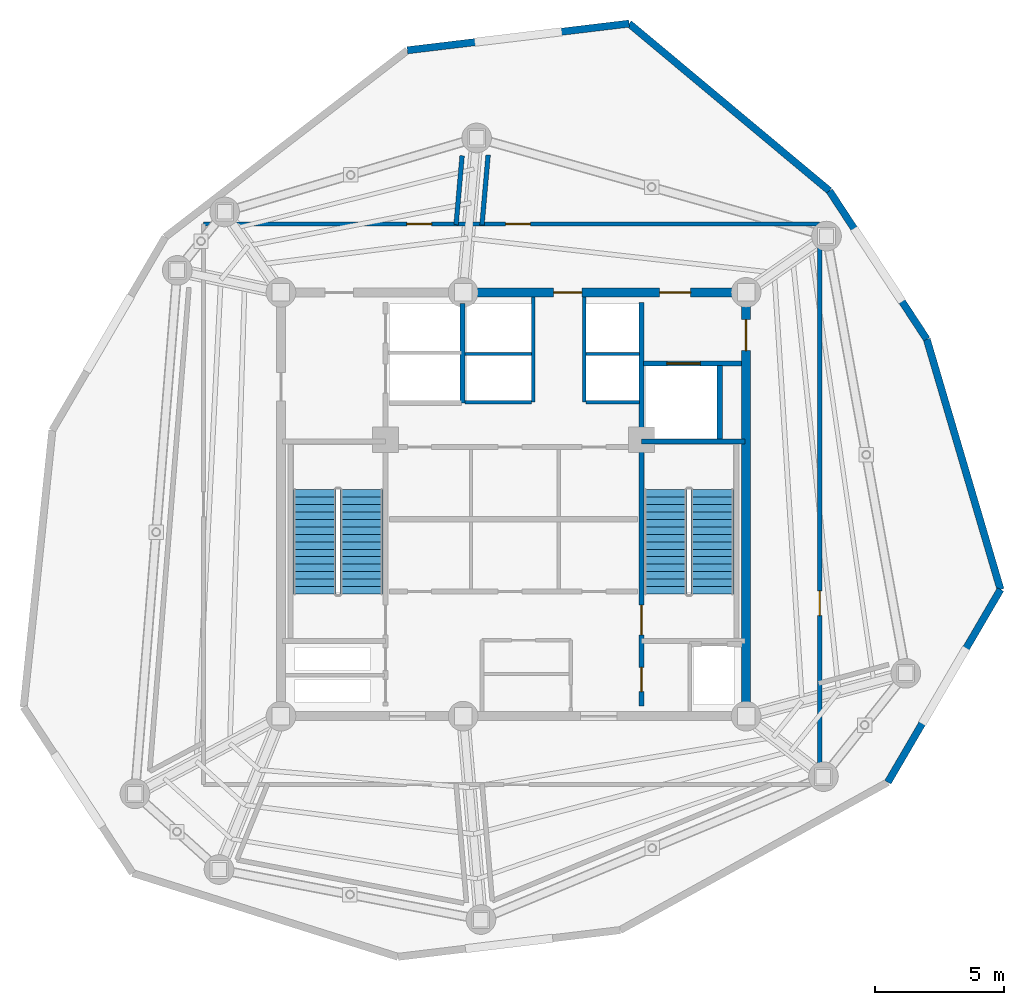
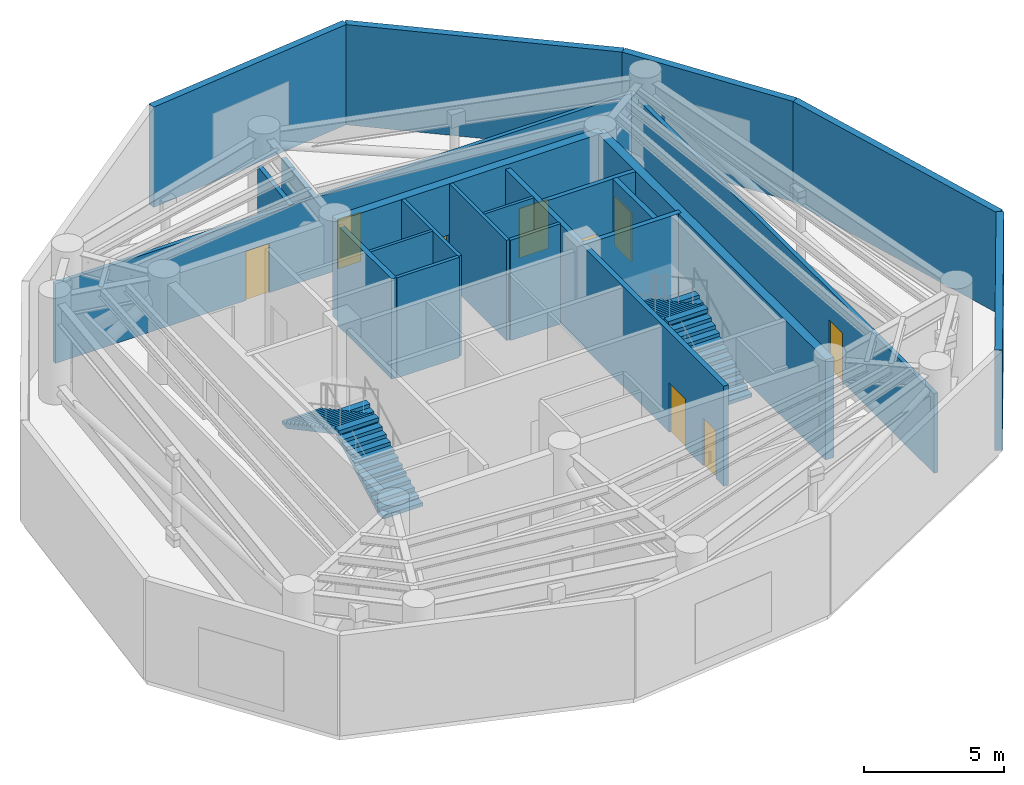
# One storey, part 5 of 8: 22 walls, 9 doors, 4 stair flights, 9 openings, 2 elements without a shape of their own.
"""IFC4 building model written with IfcOpenShell, lengths in metres."""

from ifc_helpers import new_model, si_unit, direction, frame, frame_2d, origin, origin_with_axes, place, context, subcontext, project, spatial, polyline, rectangle, outline, extrude, source, transform, mapped, material, layer, layer_set, type_object, element, fill, aggregate, save


model = new_model("IFC4")

# Units and contexts
model_context = context("Model", 3, precision=1e-05, world=origin(), true_north=direction((0.0, 1.0)))
body_context = subcontext(model_context, "Body", "Model", "MODEL_VIEW")
ifc_project = project(units=[si_unit("LENGTHUNIT", "METRE"), si_unit("AREAUNIT", "SQUARE_METRE"), si_unit("VOLUMEUNIT", "CUBIC_METRE"), si_unit("PLANEANGLEUNIT", "RADIAN"), si_unit("MASSUNIT", "GRAM", prefix="KILO")], contexts=[model_context])

# Site, building, storey
site_placement = place(None, origin())
site = spatial("IfcSite", under=ifc_project, at=site_placement, CompositionType="ELEMENT")
building_placement = place(site_placement, origin())
building = spatial("IfcBuilding", under=site, at=building_placement, Name="Karkom Vertical University and Central Library", CompositionType="ELEMENT")
storey_placement = place(building_placement, frame((0.0, 0.0, 268.75)))
storey = spatial("IfcBuildingStorey", under=building, at=storey_placement, Name="P80", CompositionType="ELEMENT", Elevation=268.75)

# Walls
ifc_material_1 = material(Name="Brick-faced precast concrete C45/55", Category="masonry")
ifc_layer_1 = layer(ifc_material_1, 0.280029296875)
ifc_layer_set_1 = layer_set([ifc_layer_1], Name="Brick-faced precast concrete C45/55")
wall_type_1 = type_object("IfcWallType", Name="ENV-WL-BRK-280", PredefinedType="SOLIDWALL", material=ifc_layer_set_1)
wall_1_placement = place(storey_placement, frame((42.9873046875, 15.7421875, 0.0), z_axis=(0.0, 0.0, 1.0), x_axis=(0.504548875511, 0.863383131767, 0.0)))
element("IfcWall", 1, at=wall_1_placement, inside=storey, type_object=wall_type_1, Name="Plant Level 80 Brick-Faced Precast Facade Wall 05", PredefinedType="SOLIDWALL", context=body_context, shape_type="SweptSolid", body=[
    extrude(rectangle(XDim=8.64208984375, YDim=0.280029296875, at=frame_2d((4.321044921875, 0.0))), origin(), (0.0, 0.0, 1.0), 4.375),
])
wall_2_placement = place(storey_placement, frame((47.34765625, 23.20361328125, 0.0), z_axis=(0.0, 0.0, 1.0), x_axis=(-0.282671484037, 0.959216780562, 0.0)))
element("IfcWall", 2, at=wall_2_placement, inside=storey, type_object=wall_type_1, Name="Plant Level 80 Brick-Faced Precast Facade Wall 06", PredefinedType="SOLIDWALL", context=body_context, shape_type="SweptSolid", body=[
    extrude(rectangle(XDim=10.09912109375, YDim=0.280029296875, at=frame_2d((5.049560546875, 0.0))), origin(), (0.0, 0.0, 1.0), 4.375),
])
wall_3_placement = place(storey_placement, frame((44.492919921875, 32.890869140625, 0.0), z_axis=(0.0, 0.0, 1.0), x_axis=(-0.548728671622, 0.836000505347, 0.0)))
element("IfcWall", 3, at=wall_3_placement, inside=storey, type_object=wall_type_1, Name="Plant Level 80 Brick-Faced Precast Facade Wall 07", PredefinedType="SOLIDWALL", context=body_context, shape_type="SweptSolid", body=[
    extrude(rectangle(XDim=6.865966796875, YDim=0.280029296875, at=frame_2d((3.43310546875, 0.0))), origin(), (0.0, 0.0, 1.0), 4.375),
])
wall_4_placement = place(storey_placement, frame((40.725341796875, 38.630859375, 0.0), z_axis=(0.0, 0.0, 1.0), x_axis=(-0.767612607464, 0.640914101001, 0.0)))
element("IfcWall", 4, at=wall_4_placement, inside=storey, type_object=wall_type_1, Name="Plant Level 80 Brick-Faced Precast Facade Wall 08", PredefinedType="SOLIDWALL", context=body_context, shape_type="SweptSolid", body=[
    extrude(rectangle(XDim=10.09912109375, YDim=0.280029296875, at=frame_2d((5.049560546875, 0.0))), origin(), (0.0, 0.0, 1.0), 4.375),
])
wall_5_placement = place(storey_placement, frame((32.97314453125, 45.103515625, 0.0), z_axis=(0.0, 0.0, 1.0), x_axis=(-0.992838020482, -0.119468259742, 0.0)))
element("IfcWall", 5, at=wall_5_placement, inside=storey, type_object=wall_type_1, Name="Plant Level 80 Brick-Faced Precast Facade Wall 09", PredefinedType="SOLIDWALL", context=body_context, shape_type="SweptSolid", body=[
    extrude(rectangle(XDim=8.642333984375, YDim=0.280029296875, at=frame_2d((4.3212890625, 0.0))), origin(), (0.0, 0.0, 1.0), 4.375),
])

# Wall, openings, doors
ifc_material_2 = material(Name="Insulated metal-stud drywall 160mm", Category="gypsum")
ifc_layer_2 = layer(ifc_material_2, 0.159912109375)
ifc_layer_set_2 = layer_set([ifc_layer_2], Name="Insulated metal-stud drywall 160mm")
wall_type_2 = type_object("IfcWallType", Name="INT-WL-COR-160F", PredefinedType="PARTITIONING", material=ifc_layer_set_2)
wall_6_placement = place(storey_placement, frame((16.5, 37.35009765625, 0.0), z_axis=(0.0, 0.0, 1.0), x_axis=(1.0, 0.0, 0.0)))
wall_6 = element("IfcWall", 6, at=wall_6_placement, inside=storey, type_object=wall_type_2, Name="Plant Level 80 Interior Partition Wall P80-PCORW-CW-003", PredefinedType="PARTITIONING", context=body_context, shape_type="SweptSolid", body=[
    extrude(rectangle(XDim=23.85009765625, YDim=0.159912109375, at=frame_2d((11.925048828125, 0.0))), origin(), (0.0, 0.0, 1.0), 3.47509765625),
])
opening_1_placement = place(wall_6_placement, frame((11.68994140625, 0.0, 0.0)))
opening_1 = element("IfcOpeningElement", 7, at=opening_1_placement, cuts=wall_6, Name="Opening FD-RM1", PredefinedType="OPENING", context=body_context, shape_type="SweptSolid", body=[
    extrude(rectangle(XDim=0.9599609375, YDim=2.14990234375, at=frame_2d((0.47998046875, 1.074951171875))), frame((0.0, 0.08984375, 0.0), z_axis=(0.0, -1.0, 0.0), x_axis=(1.0, 0.0, 0.0)), (0.0, 0.0, 1.0), 0.179931640625),
])
opening_2_placement = place(wall_6_placement, frame((7.87255859375, 0.0, 0.0)))
opening_2 = element("IfcOpeningElement", 8, at=opening_2_placement, cuts=wall_6, Name="Opening FD-RM1", PredefinedType="OPENING", context=body_context, shape_type="SweptSolid", body=[
    extrude(rectangle(XDim=0.9599609375, YDim=2.14990234375, at=frame_2d((0.47998046875, 1.074951171875))), frame((0.0, 0.08984375, 0.0), z_axis=(0.0, -1.0, 0.0), x_axis=(1.0, 0.0, 0.0)), (0.0, 0.0, 1.0), 0.179931640625),
])
ifc_material_3 = material(Name="Fire-rated oak veneer door", Category="wood")
door_type_1 = type_object("IfcDoorType", Name="INT-DR-FRM1", OperationType="NOTDEFINED", PredefinedType="DOOR", material=ifc_material_3)
shared_shape_1 = source(origin_with_axes(), body_context, "Body", "SweptSolid", [
    extrude(rectangle(XDim=0.9599609375, YDim=2.14990234375, at=frame_2d((0.47998046875, 1.074951171875))), frame((0.0, 0.02490234375, 0.0), z_axis=(0.0, -1.0, 0.0), x_axis=(1.0, 0.0, 0.0)), (0.0, 0.0, 1.0), 0.050048828125),
])
door_1_placement = place(opening_1_placement, origin())
door_1 = element("IfcDoor", 9, at=door_1_placement, inside=storey, type_object=door_type_1, Name="Plant Level 80 Room Entry Door 704", OperationType="SINGLE_SWING_RIGHT", OverallHeight=2.14990234375, OverallWidth=0.9599609375, PredefinedType="DOOR", context=body_context, shape_type="MappedRepresentation", body=[
    mapped(shared_shape_1, transform((0.0, 0.0, 0.0), scale=1.0)),
])
fill(opening_1, door_1)
door_2_placement = place(opening_2_placement, origin())
door_2 = element("IfcDoor", 10, at=door_2_placement, inside=storey, type_object=door_type_1, Name="Plant Level 80 Room Entry Door 705", OperationType="SINGLE_SWING_LEFT", OverallHeight=2.14990234375, OverallWidth=0.9599609375, PredefinedType="DOOR", context=body_context, shape_type="MappedRepresentation", body=[
    mapped(shared_shape_1, transform((0.0, 0.0, 0.0), scale=1.0)),
])
fill(opening_2, door_2)

# Wall, opening, door
wall_7_placement = place(storey_placement, frame((40.35009765625, 37.35009765625, 0.0), z_axis=(0.0, 0.0, 1.0), x_axis=(0.0, -1.0, 0.0)))
wall_7 = element("IfcWall", 11, at=wall_7_placement, inside=storey, type_object=wall_type_2, Name="Plant Level 80 Interior Partition Wall P80-PCORW-CW-004", PredefinedType="PARTITIONING", context=body_context, shape_type="SweptSolid", body=[
    extrude(rectangle(XDim=21.7001953125, YDim=0.159912109375, at=frame_2d((10.85009765625, 0.0))), origin(), (0.0, 0.0, 1.0), 3.47509765625),
])
opening_3_placement = place(wall_7_placement, frame((14.199951171875, 0.0, 0.0)))
opening_3 = element("IfcOpeningElement", 12, at=opening_3_placement, cuts=wall_7, Name="Opening FD-RM1", PredefinedType="OPENING", context=body_context, shape_type="SweptSolid", body=[
    extrude(rectangle(XDim=0.9599609375, YDim=2.14990234375, at=frame_2d((0.47998046875, 1.074951171875))), frame((0.0, 0.08984375, 0.0), z_axis=(0.0, -1.0, 0.0), x_axis=(1.0, 0.0, 0.0)), (0.0, 0.0, 1.0), 0.179931640625),
])
door_3_placement = place(opening_3_placement, origin())
door_3 = element("IfcDoor", 13, at=door_3_placement, inside=storey, type_object=door_type_1, Name="Plant Level 80 Room Entry Door 703", OperationType="SINGLE_SWING_LEFT", OverallHeight=2.14990234375, OverallWidth=0.9599609375, PredefinedType="DOOR", context=body_context, shape_type="MappedRepresentation", body=[
    mapped(shared_shape_1, transform((0.0, 0.0, 0.0), scale=1.0)),
])
fill(opening_3, door_3)

# Walls
ifc_material_4 = material(Name="Moisture-resistant drywall 120mm", Category="gypsum")
ifc_layer_3 = layer(ifc_material_4, 0.1201171875)
ifc_layer_set_3 = layer_set([ifc_layer_3], Name="Moisture-resistant drywall 120mm")
wall_type_3 = type_object("IfcWallType", Name="INT-WL-INT-120H", PredefinedType="PARTITIONING", material=ifc_layer_set_3)
wall_8_placement = place(storey_placement, frame((26.6201171875, 32.320068359375, 0.0), z_axis=(0.0, 0.0, 1.0), x_axis=(1.0, 0.0, 0.0)))
element("IfcWall", 14, at=wall_8_placement, inside=storey, type_object=wall_type_3, Name="Plant Level 80 Interior Partition Wall P80-CW-PH-MW", PredefinedType="PARTITIONING", context=body_context, shape_type="SweptSolid", body=[
    extrude(rectangle(XDim=2.579833984375, YDim=0.1201171875, at=frame_2d((1.2900390625, 0.0))), origin(), (0.0, 0.0, 1.0), 4.375),
])
wall_9_placement = place(storey_placement, frame((31.300048828125, 32.320068359375, 0.0), z_axis=(0.0, 0.0, 1.0), x_axis=(1.0, 0.0, 0.0)))
element("IfcWall", 15, at=wall_9_placement, inside=storey, type_object=wall_type_3, Name="Plant Level 80 Interior Partition Wall P80-CW-PH-ME", PredefinedType="PARTITIONING", context=body_context, shape_type="SweptSolid", body=[
    extrude(rectangle(XDim=2.074951171875, YDim=0.1201171875, at=frame_2d((1.03759765625, 0.0))), origin(), (0.0, 0.0, 1.0), 4.375),
])
ifc_material_5 = material(Name="Metal-stud gypsum partition 140mm", Category="gypsum")
ifc_layer_4 = layer(ifc_material_5, 0.139892578125)
ifc_layer_set_4 = layer_set([ifc_layer_4], Name="Metal-stud gypsum partition 140mm")
wall_type_4 = type_object("IfcWallType", Name="INT-WL-SUB-140H", PredefinedType="PARTITIONING", material=ifc_layer_set_4)
for number, where, z_axis, x_axis, name in (
    (16, (29.260009765625, 30.449951171875, 0.0), (0.0, 0.0, 1.0), (0.0, 1.0, 0.0), "Plant Level 80 Interior Partition Wall P80-CW-PH-W"),
    (17, (31.239990234375, 30.449951171875, 0.0), (0.0, 0.0, 1.0), (0.0, 1.0, 0.0), "Plant Level 80 Interior Partition Wall P80-CW-PH-E"),
):
    element("IfcWall", number, at=place(storey_placement, frame(where, z_axis=z_axis, x_axis=x_axis)), inside=storey, type_object=wall_type_4, Name=name, PredefinedType="PARTITIONING", context=body_context, shape_type="SweptSolid", body=[
        extrude(rectangle(XDim=4.068115234375, YDim=0.139892578125, at=frame_2d((2.0341796875, 0.0))), origin(), (0.0, 0.0, 1.0), 4.375),
    ])
wall_10_placement = place(storey_placement, frame((26.6201171875, 30.449951171875, 0.0), z_axis=(0.0, 0.0, 1.0), x_axis=(1.0, 0.0, 0.0)))
element("IfcWall", 18, at=wall_10_placement, inside=storey, type_object=wall_type_4, Name="Plant Level 80 Interior Partition Wall P80-CW-PH-S1", PredefinedType="PARTITIONING", context=body_context, shape_type="SweptSolid", body=[
    extrude(rectangle(XDim=2.579833984375, YDim=0.139892578125, at=frame_2d((1.2900390625, 0.0))), origin(), (0.0, 0.0, 1.0), 4.375),
])
wall_11_placement = place(storey_placement, frame((31.300048828125, 30.449951171875, 0.0), z_axis=(0.0, 0.0, 1.0), x_axis=(1.0, 0.0, 0.0)))
element("IfcWall", 19, at=wall_11_placement, inside=storey, type_object=wall_type_4, Name="Plant Level 80 Interior Partition Wall P80-CW-PH-S2", PredefinedType="PARTITIONING", context=body_context, shape_type="SweptSolid", body=[
    extrude(rectangle(XDim=2.074951171875, YDim=0.139892578125, at=frame_2d((1.03759765625, 0.0))), origin(), (0.0, 0.0, 1.0), 4.375),
])

# Wall, opening, door
ifc_material_6 = material(Name="Twin-stud acoustic drywall 180mm", Category="gypsum")
ifc_layer_5 = layer(ifc_material_6, 0.179931640625)
ifc_layer_set_5 = layer_set([ifc_layer_5], Name="Twin-stud acoustic drywall 180mm")
wall_type_5 = type_object("IfcWallType", Name="INT-WL-TEN-180F", PredefinedType="PARTITIONING", material=ifc_layer_set_5)
wall_12_placement = place(storey_placement, frame((33.534912109375, 31.949951171875, 0.0), z_axis=(0.0, 0.0, 1.0), x_axis=(1.0, 0.0, 0.0)))
wall_12 = element("IfcWall", 20, at=wall_12_placement, inside=storey, type_object=wall_type_5, Name="Plant Level 80 Interior Partition Wall P80-CW-SVL-N", PredefinedType="PARTITIONING", context=body_context, shape_type="SweptSolid", body=[
    extrude(rectangle(XDim=3.783935546875, YDim=0.179931640625, at=frame_2d((1.89208984375, 0.0))), origin(), (0.0, 0.0, 1.0), 4.375),
])
opening_4_placement = place(wall_12_placement, frame((0.89990234375, 0.0, 0.0)))
opening_4 = element("IfcOpeningElement", 21, at=opening_4_placement, cuts=wall_12, Name="Opening LD-SV1", PredefinedType="OPENING", context=body_context, shape_type="SweptSolid", body=[
    extrude(rectangle(XDim=1.300048828125, YDim=2.199951171875, at=frame_2d((0.64990234375, 1.10009765625))), frame((0.0, 0.10009765625, 0.0), z_axis=(0.0, -1.0, 0.0), x_axis=(1.0, 0.0, 0.0)), (0.0, 0.0, 1.0), 0.199951171875),
])
ifc_material_7 = material(Name="Brushed stainless-steel landing door", Category="steel")
door_type_2 = type_object("IfcDoorType", Name="INT-DR-LD-SV1", OperationType="SLIDING_TO_LEFT", PredefinedType="DOOR", material=ifc_material_7)
shared_shape_2 = source(origin_with_axes(), body_context, "Body", "SweptSolid", [
    extrude(rectangle(XDim=1.300048828125, YDim=2.199951171875, at=frame_2d((0.64990234375, 1.10009765625))), frame((0.0, 0.02490234375, 0.0), z_axis=(0.0, -1.0, 0.0), x_axis=(1.0, 0.0, 0.0)), (0.0, 0.0, 1.0), 0.050048828125),
])
door_4_placement = place(opening_4_placement, origin())
door_4 = element("IfcDoor", 22, at=door_4_placement, inside=storey, type_object=door_type_2, Name="Plant Level 80 Service Lift Landing Door LD-SV1", OperationType="SLIDING_TO_LEFT", OverallHeight=2.199951171875, OverallWidth=1.300048828125, PredefinedType="DOOR", context=body_context, shape_type="MappedRepresentation", body=[
    mapped(shared_shape_2, transform((0.0, 0.0, 0.0), scale=1.0)),
])
fill(opening_4, door_4)

# Walls
wall_13_placement = place(storey_placement, frame((27.27978515625, 37.30517578125, 0.0), z_axis=(0.0, 0.0, 1.0), x_axis=(0.087171400335, 0.996193328106, 0.0)))
element("IfcWall", 23, at=wall_13_placement, inside=storey, type_object=wall_type_5, Name="Plant Level 80 Interior Partition Wall P80-PLCHW-011", PredefinedType="PARTITIONING", context=body_context, shape_type="SweptSolid", body=[
    extrude(rectangle(XDim=2.72216796875, YDim=0.179931640625, at=frame_2d((1.361083984375, 0.0))), origin(), (0.0, 0.0, 1.0), 3.47509765625),
])
wall_14_placement = place(storey_placement, frame((26.510986328125, 39.990966796875, 0.0), z_axis=(0.0, 0.0, 1.0), x_axis=(-0.087144358245, -0.996195694041, 0.0)))
element("IfcWall", 24, at=wall_14_placement, inside=storey, type_object=wall_type_5, Name="Plant Level 80 Interior Partition Wall P80-PLCHW-012", PredefinedType="PARTITIONING", context=body_context, shape_type="SweptSolid", body=[
    extrude(rectangle(XDim=2.68115234375, YDim=0.179931640625, at=frame_2d((1.340576171875, 0.0))), origin(), (0.0, 0.0, 1.0), 3.47509765625),
])

# Wall, opening, door
ifc_material_8 = material(Name="Concrete C45/55", Category="concrete")
ifc_layer_6 = layer(ifc_material_8, 0.35009765625)
ifc_layer_set_6 = layer_set([ifc_layer_6], Name="Concrete C45/55")
wall_type_6 = type_object("IfcWallType", Name="STR-WL-CW-350", PredefinedType="SHEAR", material=ifc_layer_set_6)
wall_15_placement = place(storey_placement, frame((37.5, 18.300048828125, 0.0), z_axis=(0.0, 0.0, 1.0), x_axis=(0.0, 1.0, 0.0)))
wall_15 = element("IfcWall", 25, at=wall_15_placement, inside=storey, type_object=wall_type_6, Name="Plant Level 80 Central Core Shear Wall EW", PredefinedType="SHEAR", context=body_context, shape_type="SweptSolid", body=[
    extrude(rectangle(XDim=16.39990234375, YDim=0.35009765625, at=frame_2d((8.199951171875, 0.0))), origin(), (0.0, 0.0, 1.0), 4.375),
])
opening_5_placement = place(wall_15_placement, frame((14.14990234375, 0.0, 0.0)))
opening_5 = element("IfcOpeningElement", 26, at=opening_5_placement, cuts=wall_15, Name="Opening FD-SUB1", PredefinedType="OPENING", context=body_context, shape_type="SweptSolid", body=[
    extrude(rectangle(XDim=1.199951171875, YDim=2.14990234375, at=frame_2d((0.60009765625, 1.074951171875))), frame((0.0, 0.18505859375, 0.0), z_axis=(0.0, -1.0, 0.0), x_axis=(1.0, 0.0, 0.0)), (0.0, 0.0, 1.0), 0.3701171875),
])
ifc_material_9 = material(Name="Painted steel fire door", Category="steel")
door_type_3 = type_object("IfcDoorType", Name="INT-DR-SUB1", OperationType="NOTDEFINED", PredefinedType="DOOR", material=ifc_material_9)
shared_shape_3 = source(origin_with_axes(), body_context, "Body", "SweptSolid", [
    extrude(rectangle(XDim=1.199951171875, YDim=2.14990234375, at=frame_2d((0.60009765625, 1.074951171875))), frame((0.0, 0.02490234375, 0.0), z_axis=(0.0, -1.0, 0.0), x_axis=(1.0, 0.0, 0.0)), (0.0, 0.0, 1.0), 0.050048828125),
])
door_5_placement = place(opening_5_placement, origin())
door_5 = element("IfcDoor", 27, at=door_5_placement, inside=storey, type_object=door_type_3, Name="Plant Level 80 East Corridor Service Lobby Door", OperationType="SINGLE_SWING_RIGHT", OverallHeight=2.14990234375, OverallWidth=1.199951171875, PredefinedType="DOOR", context=body_context, shape_type="MappedRepresentation", body=[
    mapped(shared_shape_3, transform((0.0, 0.0, 0.0), scale=1.0)),
])
fill(opening_5, door_5)

# Wall, openings, doors
wall_16_placement = place(storey_placement, frame((37.5, 34.699951171875, 0.0), z_axis=(0.0, 0.0, 1.0), x_axis=(-1.0, 0.0, 0.0)))
wall_16 = element("IfcWall", 28, at=wall_16_placement, inside=storey, type_object=wall_type_6, Name="Plant Level 80 Central Core Shear Wall NW1", PredefinedType="SHEAR", context=body_context, shape_type="SweptSolid", body=[
    extrude(rectangle(XDim=10.949951171875, YDim=0.35009765625, at=frame_2d((5.47509765625, 0.0))), origin(), (0.0, 0.0, 1.0), 4.375),
])
opening_6_placement = place(wall_16_placement, frame((2.14990234375, 0.0, 0.0)))
opening_6 = element("IfcOpeningElement", 29, at=opening_6_placement, cuts=wall_16, Name="Opening FD-SUB1", PredefinedType="OPENING", context=body_context, shape_type="SweptSolid", body=[
    extrude(rectangle(XDim=1.199951171875, YDim=2.14990234375, at=frame_2d((0.60009765625, 1.074951171875))), frame((0.0, 0.18505859375, 0.0), z_axis=(0.0, -1.0, 0.0), x_axis=(1.0, 0.0, 0.0)), (0.0, 0.0, 1.0), 0.3701171875),
])
opening_7_placement = place(wall_16_placement, frame((6.35009765625, 0.0, 0.0)))
opening_7 = element("IfcOpeningElement", 30, at=opening_7_placement, cuts=wall_16, Name="Opening FD-FFL", PredefinedType="OPENING", context=body_context, shape_type="SweptSolid", body=[
    extrude(rectangle(XDim=1.10009765625, YDim=2.14990234375, at=frame_2d((0.550048828125, 1.074951171875))), frame((0.0, 0.18505859375, 0.0), z_axis=(0.0, -1.0, 0.0), x_axis=(1.0, 0.0, 0.0)), (0.0, 0.0, 1.0), 0.3701171875),
])
ifc_material_10 = material(Name="Painted steel smoke-seal fire door", Category="steel")
door_type_4 = type_object("IfcDoorType", Name="INT-DR-FFL", OperationType="NOTDEFINED", PredefinedType="DOOR", material=ifc_material_10)
shared_shape_4 = source(origin_with_axes(), body_context, "Body", "SweptSolid", [
    extrude(rectangle(XDim=1.10009765625, YDim=2.14990234375, at=frame_2d((0.550048828125, 1.074951171875))), frame((0.0, 0.02490234375, 0.0), z_axis=(0.0, -1.0, 0.0), x_axis=(1.0, 0.0, 0.0)), (0.0, 0.0, 1.0), 0.050048828125),
])
door_6_placement = place(opening_7_placement, origin())
door_6 = element("IfcDoor", 31, at=door_6_placement, inside=storey, type_object=door_type_4, Name="Plant Level 80 North Core Lobby Exit Door", OperationType="SINGLE_SWING_LEFT", OverallHeight=2.14990234375, OverallWidth=1.10009765625, PredefinedType="DOOR", context=body_context, shape_type="MappedRepresentation", body=[
    mapped(shared_shape_4, transform((0.0, 0.0, 0.0), scale=1.0)),
])
fill(opening_7, door_6)
door_7_placement = place(opening_6_placement, origin())
door_7 = element("IfcDoor", 32, at=door_7_placement, inside=storey, type_object=door_type_3, Name="Plant Level 80 Service Lobby Fire Door", OperationType="SINGLE_SWING_LEFT", OverallHeight=2.14990234375, OverallWidth=1.199951171875, PredefinedType="DOOR", context=body_context, shape_type="MappedRepresentation", body=[
    mapped(shared_shape_3, transform((0.0, 0.0, 0.0), scale=1.0)),
])
fill(opening_6, door_7)

ifc_layer_7 = layer(ifc_material_8, 0.199951171875)
ifc_layer_set_7 = layer_set([ifc_layer_7], Name="Concrete C45/55")
wall_type_7 = type_object("IfcWallType", Name="STR-WL-ST-200", PredefinedType="SHEAR", material=ifc_layer_set_7)
wall_17_placement = place(storey_placement, frame((33.455078125, 18.699951171875, 0.0), z_axis=(0.0, 0.0, 1.0), x_axis=(0.0, 1.0, 0.0)))
wall_17 = element("IfcWall", 33, at=wall_17_placement, inside=storey, type_object=wall_type_7, Name="Plant Level 80 Core Shaft Wall P80-CW-ST2-W", PredefinedType="SHEAR", context=body_context, shape_type="SweptSolid", body=[
    extrude(rectangle(XDim=15.60009765625, YDim=0.199951171875, at=frame_2d((7.800048828125, 0.0))), origin(), (0.0, 0.0, 1.0), 4.375),
])
opening_8_placement = place(wall_17_placement, frame((2.75, 0.0, 0.0)))
opening_8 = element("IfcOpeningElement", 34, at=opening_8_placement, cuts=wall_17, Name="Opening FD-ST1", PredefinedType="OPENING", context=body_context, shape_type="SweptSolid", body=[
    extrude(rectangle(XDim=1.14990234375, YDim=2.14990234375, at=frame_2d((0.574951171875, 1.074951171875))), frame((0.0, 0.10986328125, 0.0), z_axis=(0.0, -1.0, 0.0), x_axis=(1.0, 0.0, 0.0)), (0.0, 0.0, 1.0), 0.219970703125),
])
opening_9_placement = place(wall_17_placement, frame((0.550048828125, 0.0, 0.0)))
opening_9 = element("IfcOpeningElement", 35, at=opening_9_placement, cuts=wall_17, Name="Opening D-WC1", PredefinedType="OPENING", context=body_context, shape_type="SweptSolid", body=[
    extrude(rectangle(XDim=0.93994140625, YDim=2.10009765625, at=frame_2d((0.469970703125, 1.050048828125))), frame((0.0, 0.10986328125, 0.0), z_axis=(0.0, -1.0, 0.0), x_axis=(1.0, 0.0, 0.0)), (0.0, 0.0, 1.0), 0.219970703125),
])
ifc_material_11 = material(Name="Painted steel acoustic fire door", Category="steel")
door_type_5 = type_object("IfcDoorType", Name="INT-DR-ST1", OperationType="NOTDEFINED", PredefinedType="DOOR", material=ifc_material_11)
shared_shape_5 = source(origin_with_axes(), body_context, "Body", "SweptSolid", [
    extrude(rectangle(XDim=1.14990234375, YDim=2.14990234375, at=frame_2d((0.574951171875, 1.074951171875))), frame((0.0, 0.02490234375, 0.0), z_axis=(0.0, -1.0, 0.0), x_axis=(1.0, 0.0, 0.0)), (0.0, 0.0, 1.0), 0.050048828125),
])
door_8_placement = place(opening_8_placement, origin())
door_8 = element("IfcDoor", 36, at=door_8_placement, inside=storey, type_object=door_type_5, Name="Plant Level 80 Stair ST-2 Fire Door", OperationType="SINGLE_SWING_LEFT", OverallHeight=2.14990234375, OverallWidth=1.14990234375, PredefinedType="DOOR", context=body_context, shape_type="MappedRepresentation", body=[
    mapped(shared_shape_5, transform((0.0, 0.0, 0.0), scale=1.0)),
])
fill(opening_8, door_8)
ifc_material_12 = material(Name="Fire-rated laminate moisture-resistant door", Category="wood")
door_type_6 = type_object("IfcDoorType", Name="INT-DR-WC1", OperationType="NOTDEFINED", PredefinedType="DOOR", material=ifc_material_12)
shared_shape_6 = source(origin_with_axes(), body_context, "Body", "SweptSolid", [
    extrude(rectangle(XDim=0.93994140625, YDim=2.10009765625, at=frame_2d((0.469970703125, 1.050048828125))), frame((0.0, 0.02490234375, 0.0), z_axis=(0.0, -1.0, 0.0), x_axis=(1.0, 0.0, 0.0)), (0.0, 0.0, 1.0), 0.050048828125),
])
door_9_placement = place(opening_9_placement, origin())
door_9 = element("IfcDoor", 37, at=door_9_placement, inside=storey, type_object=door_type_6, Name="Plant Level 80 Accessible WC Door", OperationType="SINGLE_SWING_RIGHT", OverallHeight=2.10009765625, OverallWidth=0.93994140625, PredefinedType="DOOR", context=body_context, shape_type="MappedRepresentation", body=[
    mapped(shared_shape_6, transform((0.0, 0.0, 0.0), scale=1.0)),
])
fill(opening_9, door_9)

# Walls
wall_18_placement = place(storey_placement, frame((33.455078125, 28.925048828125, 0.0), z_axis=(0.0, 0.0, 1.0), x_axis=(1.0, 0.0, 0.0)))
element("IfcWall", 38, at=wall_18_placement, inside=storey, type_object=wall_type_7, Name="Plant Level 80 Core Shaft Wall P80-CW-ST2-N", PredefinedType="SHEAR", context=body_context, shape_type="SweptSolid", body=[
    extrude(rectangle(XDim=3.994873046875, YDim=0.199951171875, at=frame_2d((1.99755859375, 0.0))), origin(), (0.0, 0.0, 1.0), 4.375),
])
wall_19_placement = place(storey_placement, frame((26.52001953125, 30.419921875, 0.0), z_axis=(0.0, 0.0, 1.0), x_axis=(0.0, 1.0, 0.0)))
element("IfcWall", 39, at=wall_19_placement, inside=storey, type_object=wall_type_7, Name="Plant Level 80 Core Shaft Wall P80-CW-FFL-E", PredefinedType="SHEAR", context=body_context, shape_type="SweptSolid", body=[
    extrude(rectangle(XDim=3.860107421875, YDim=0.199951171875, at=frame_2d((1.93017578125, 0.0))), origin(), (0.0, 0.0, 1.0), 4.375),
])
wall_20_placement = place(storey_placement, frame((36.47998046875, 29.02001953125, 0.0), z_axis=(0.0, 0.0, 1.0), x_axis=(0.0, 1.0, 0.0)))
element("IfcWall", 40, at=wall_20_placement, inside=storey, type_object=wall_type_7, Name="Plant Level 80 Core Shaft Wall P80-CW-SVL-E", PredefinedType="SHEAR", context=body_context, shape_type="SweptSolid", body=[
    extrude(rectangle(XDim=2.85986328125, YDim=0.199951171875, at=frame_2d((1.429931640625, 0.0))), origin(), (0.0, 0.0, 1.0), 4.375),
])

# Stair, stair flights
stair_type = type_object("IfcStairType", Name="INT-STR-ST-MAIN", PredefinedType="HALF_TURN_STAIR", material=ifc_material_8)
stair_1_placement = place(storey_placement, origin())
stair_1 = element("IfcStair", 41, at=stair_1_placement, inside=storey, type_object=stair_type, Name="Plant Level 80 Tower Protected Exit Stair ST-1", PredefinedType="HALF_TURN_STAIR")
stair_flight_type = type_object("IfcStairFlightType", Name="INT-SFL-ST-MAIN", PredefinedType="STRAIGHT", material=ifc_material_8)
stair_flight_1_placement = place(storey_placement, frame((22.614990234375, 23.02001953125, 0.0), z_axis=(0.0, 0.0, 1.0), x_axis=(0.0, 1.0, 0.0)))
stair_flight_1 = element("IfcStairFlight", 42, at=stair_flight_1_placement, type_object=stair_flight_type, Name="ST-1 flight 1", NumberOfRisers=15, NumberOfTreads=14, PredefinedType="STRAIGHT", RiserHeight=0.155, TreadLength=0.29, context=body_context, shape_type="SweptSolid", body=[
    extrude(outline(polyline([(0.0, 0.0), (0.0, 0.155029296875), (0.2900390625, 0.155029296875), (0.2900390625, 0.31005859375), (0.580078125, 0.31005859375), (0.580078125, 0.465087890625), (0.8701171875, 0.465087890625), (0.8701171875, 0.6201171875), (1.159912109375, 0.6201171875), (1.159912109375, 0.77490234375), (1.449951171875, 0.77490234375), (1.449951171875, 0.929931640625), (1.739990234375, 0.929931640625), (1.739990234375, 1.0849609375), (2.030029296875, 1.0849609375), (2.030029296875, 1.239990234375), (2.320068359375, 1.239990234375), (2.320068359375, 1.39501953125), (2.610107421875, 1.39501953125), (2.610107421875, 1.550048828125), (2.89990234375, 1.550048828125), (2.89990234375, 1.705078125), (3.18994140625, 1.705078125), (3.18994140625, 1.860107421875), (3.47998046875, 1.860107421875), (3.47998046875, 2.014892578125), (3.77001953125, 2.014892578125), (3.77001953125, 2.169921875), (4.06005859375, 2.169921875), (4.06005859375, 2.324951171875), (4.06005859375, 2.0), (0.318115234375, 0.0), (0.0, 0.0)])), frame((0.0, 0.824951171875, 0.0), z_axis=(0.0, -1.0, 0.0), x_axis=(1.0, 0.0, 0.0)), (0.0, 0.0, 1.0), 1.64990234375),
])
stair_flight_2_placement = place(storey_placement, frame((20.804931640625, 27.080078125, 2.324951171875), z_axis=(0.0, 0.0, 1.0), x_axis=(0.0, -1.0, 0.0)))
stair_flight_2 = element("IfcStairFlight", 43, at=stair_flight_2_placement, type_object=stair_flight_type, Name="ST-1 flight 2", NumberOfRisers=15, NumberOfTreads=14, PredefinedType="STRAIGHT", RiserHeight=0.155, TreadLength=0.29, context=body_context, shape_type="SweptSolid", body=[
    extrude(outline(polyline([(0.0, 0.0), (0.0, 0.155029296875), (0.2900390625, 0.155029296875), (0.2900390625, 0.31005859375), (0.580078125, 0.31005859375), (0.580078125, 0.465087890625), (0.8701171875, 0.465087890625), (0.8701171875, 0.6201171875), (1.159912109375, 0.6201171875), (1.159912109375, 0.77490234375), (1.449951171875, 0.77490234375), (1.449951171875, 0.929931640625), (1.739990234375, 0.929931640625), (1.739990234375, 1.0849609375), (2.030029296875, 1.0849609375), (2.030029296875, 1.239990234375), (2.320068359375, 1.239990234375), (2.320068359375, 1.39501953125), (2.610107421875, 1.39501953125), (2.610107421875, 1.550048828125), (2.89990234375, 1.550048828125), (2.89990234375, 1.705078125), (3.18994140625, 1.705078125), (3.18994140625, 1.860107421875), (3.47998046875, 1.860107421875), (3.47998046875, 2.014892578125), (3.77001953125, 2.014892578125), (3.77001953125, 2.169921875), (4.06005859375, 2.169921875), (4.06005859375, 2.324951171875), (4.06005859375, 2.0), (0.318115234375, 0.0), (0.0, 0.0)])), frame((0.0, 0.824951171875, 0.0), z_axis=(0.0, -1.0, 0.0), x_axis=(1.0, 0.0, 0.0)), (0.0, 0.0, 1.0), 1.64990234375),
])
aggregate(stair_1, [stair_flight_1, stair_flight_2])

stair_2_placement = place(storey_placement, origin())
stair_2 = element("IfcStair", 44, at=stair_2_placement, inside=storey, type_object=stair_type, Name="Plant Level 80 Tower Protected Exit Stair ST-2", PredefinedType="HALF_TURN_STAIR")
stair_flight_3_placement = place(storey_placement, frame((36.195068359375, 23.02001953125, 0.0), z_axis=(0.0, 0.0, 1.0), x_axis=(0.0, 1.0, 0.0)))
stair_flight_3 = element("IfcStairFlight", 45, at=stair_flight_3_placement, type_object=stair_flight_type, Name="ST-2 flight 1", NumberOfRisers=15, NumberOfTreads=14, PredefinedType="STRAIGHT", RiserHeight=0.155, TreadLength=0.29, context=body_context, shape_type="SweptSolid", body=[
    extrude(outline(polyline([(0.0, 0.0), (0.0, 0.155029296875), (0.2900390625, 0.155029296875), (0.2900390625, 0.31005859375), (0.580078125, 0.31005859375), (0.580078125, 0.465087890625), (0.8701171875, 0.465087890625), (0.8701171875, 0.6201171875), (1.159912109375, 0.6201171875), (1.159912109375, 0.77490234375), (1.449951171875, 0.77490234375), (1.449951171875, 0.929931640625), (1.739990234375, 0.929931640625), (1.739990234375, 1.0849609375), (2.030029296875, 1.0849609375), (2.030029296875, 1.239990234375), (2.320068359375, 1.239990234375), (2.320068359375, 1.39501953125), (2.610107421875, 1.39501953125), (2.610107421875, 1.550048828125), (2.89990234375, 1.550048828125), (2.89990234375, 1.705078125), (3.18994140625, 1.705078125), (3.18994140625, 1.860107421875), (3.47998046875, 1.860107421875), (3.47998046875, 2.014892578125), (3.77001953125, 2.014892578125), (3.77001953125, 2.169921875), (4.06005859375, 2.169921875), (4.06005859375, 2.324951171875), (4.06005859375, 2.0), (0.318115234375, 0.0), (0.0, 0.0)])), frame((0.0, 0.824951171875, 0.0), z_axis=(0.0, -1.0, 0.0), x_axis=(1.0, 0.0, 0.0)), (0.0, 0.0, 1.0), 1.64990234375),
])
stair_flight_4_placement = place(storey_placement, frame((34.385009765625, 27.080078125, 2.324951171875), z_axis=(0.0, 0.0, 1.0), x_axis=(0.0, -1.0, 0.0)))
stair_flight_4 = element("IfcStairFlight", 46, at=stair_flight_4_placement, type_object=stair_flight_type, Name="ST-2 flight 2", NumberOfRisers=15, NumberOfTreads=14, PredefinedType="STRAIGHT", RiserHeight=0.155, TreadLength=0.29, context=body_context, shape_type="SweptSolid", body=[
    extrude(outline(polyline([(0.0, 0.0), (0.0, 0.155029296875), (0.2900390625, 0.155029296875), (0.2900390625, 0.31005859375), (0.580078125, 0.31005859375), (0.580078125, 0.465087890625), (0.8701171875, 0.465087890625), (0.8701171875, 0.6201171875), (1.159912109375, 0.6201171875), (1.159912109375, 0.77490234375), (1.449951171875, 0.77490234375), (1.449951171875, 0.929931640625), (1.739990234375, 0.929931640625), (1.739990234375, 1.0849609375), (2.030029296875, 1.0849609375), (2.030029296875, 1.239990234375), (2.320068359375, 1.239990234375), (2.320068359375, 1.39501953125), (2.610107421875, 1.39501953125), (2.610107421875, 1.550048828125), (2.89990234375, 1.550048828125), (2.89990234375, 1.705078125), (3.18994140625, 1.705078125), (3.18994140625, 1.860107421875), (3.47998046875, 1.860107421875), (3.47998046875, 2.014892578125), (3.77001953125, 2.014892578125), (3.77001953125, 2.169921875), (4.06005859375, 2.169921875), (4.06005859375, 2.324951171875), (4.06005859375, 2.0), (0.318115234375, 0.0), (0.0, 0.0)])), frame((0.0, 0.824951171875, 0.0), z_axis=(0.0, -1.0, 0.0), x_axis=(1.0, 0.0, 0.0)), (0.0, 0.0, 1.0), 1.64990234375),
])
aggregate(stair_2, [stair_flight_3, stair_flight_4])

save(model, "model.ifc")
